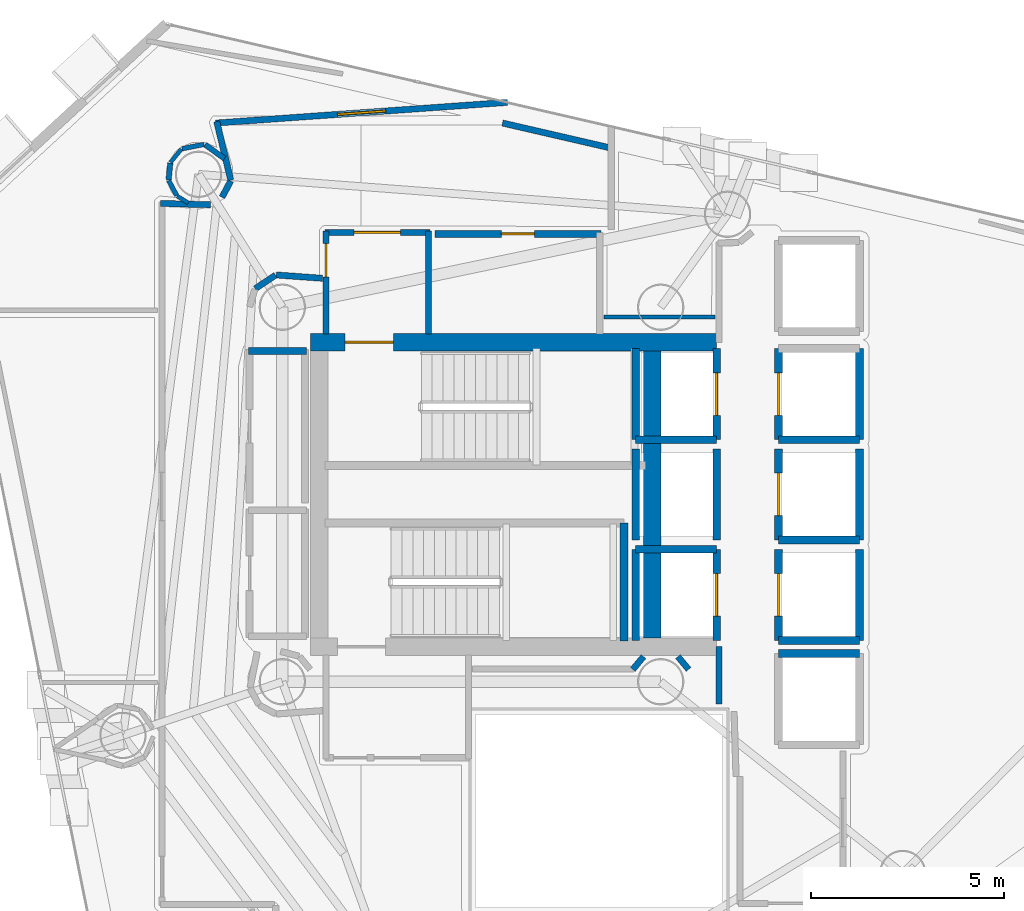
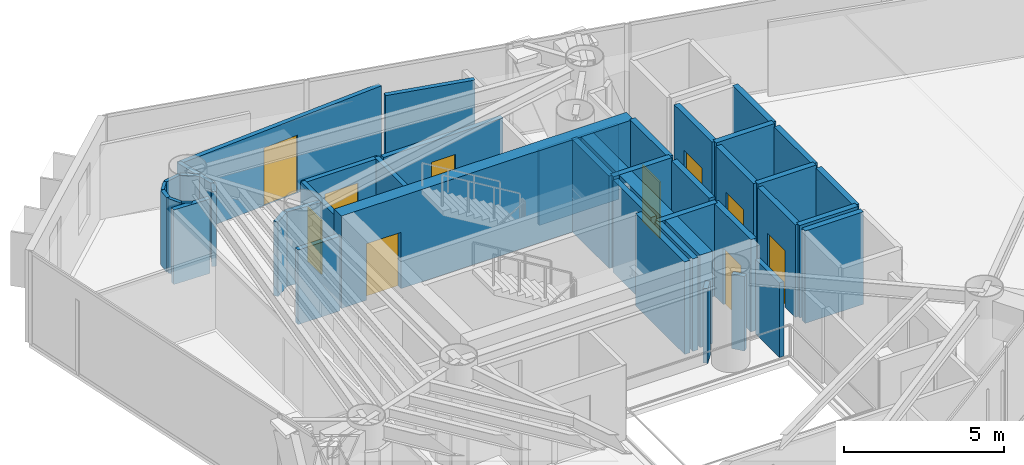
# One storey, part 18 of 22: 43 walls, 10 doors, 10 openings.
"""IFC4 building model written with IfcOpenShell, lengths in metres."""

from ifc_helpers import new_model, si_unit, direction, frame, frame_2d, origin, place, context, subcontext, project, spatial, rectangle, extrude, material, layer, layer_set, type_object, element, fill, save


model = new_model("IFC4")

# Units and contexts
model_context = context("Model", 3, precision=1e-05, world=origin(), true_north=direction((0.0, 1.0)))
body_context = subcontext(model_context, "Body", "Model", "MODEL_VIEW")
ifc_project = project(units=[si_unit("LENGTHUNIT", "METRE"), si_unit("AREAUNIT", "SQUARE_METRE"), si_unit("VOLUMEUNIT", "CUBIC_METRE"), si_unit("PLANEANGLEUNIT", "RADIAN"), si_unit("MASSUNIT", "GRAM", prefix="KILO")], contexts=[model_context])

# Site, building, storey
site_placement = place(None, origin())
site = spatial("IfcSite", under=ifc_project, at=site_placement, CompositionType="ELEMENT")
building_placement = place(site_placement, origin())
building = spatial("IfcBuilding", under=site, at=building_placement, Name="Qianvela Tower", CompositionType="ELEMENT")
storey_placement = place(building_placement, frame((0.0, 0.0, 204.0)))
storey = spatial("IfcBuildingStorey", under=building, at=storey_placement, Name="L52", CompositionType="ELEMENT", Elevation=204.0)

# Wall, opening, door
ifc_material_1 = material(Name="Concrete C50", Category="concrete")
ifc_layer_1 = layer(ifc_material_1, 0.449951171875)
ifc_layer_set_1 = layer_set([ifc_layer_1], Name="Concrete C50")
wall_type_1 = type_object("IfcWallType", Name="WT-CORE-450", PredefinedType="SHEAR", material=ifc_layer_set_1)
wall_1_placement = place(storey_placement, frame((29.330078125, 32.64501953125, 0.0), z_axis=(0.0, 0.0, 1.0), x_axis=(1.0, 0.0, 0.0)))
wall_1 = element("IfcWall", 1, at=wall_1_placement, inside=storey, type_object=wall_type_1, Name="L52 North Core Shear Wall", PredefinedType="SHEAR", context=body_context, shape_type="SweptSolid", body=[
    extrude(rectangle(XDim=10.52001953125, YDim=0.449951171875, at=frame_2d((5.260009765625, 0.0))), origin(), (0.0, 0.0, 1.0), 3.52001953125),
])
opening_1_placement = place(wall_1_placement, frame((0.89501953125, 0.0, 0.0)))
opening_1 = element("IfcOpeningElement", 2, at=opening_1_placement, cuts=wall_1, Name="Opening D-ST1", PredefinedType="OPENING", context=body_context, shape_type="SweptSolid", body=[
    extrude(rectangle(XDim=1.25, YDim=2.14990234375, at=frame_2d((0.625, 1.074951171875))), frame((0.0, 0.23486328125, 0.0), z_axis=(0.0, -1.0, 0.0), x_axis=(1.0, 0.0, 0.0)), (0.0, 0.0, 1.0), 0.469970703125),
])
ifc_material_2 = material(Name="Galvanised Fire Steel Q355B", Category="steel")
door_type_1 = type_object("IfcDoorType", Name="DT-STAIR-FD90", OperationType="NOTDEFINED", PredefinedType="DOOR", material=ifc_material_2)
door_1_placement = place(opening_1_placement, origin())
door_1 = element("IfcDoor", 3, at=door_1_placement, inside=storey, type_object=door_type_1, Name="L52 Stair ST-1 Exit Door", OperationType="SINGLE_SWING_RIGHT", OverallHeight=2.14990234375, OverallWidth=1.25, PredefinedType="DOOR", context=body_context, shape_type="SweptSolid", body=[
    extrude(rectangle(XDim=1.25, YDim=2.14990234375, at=frame_2d((0.625, 1.074951171875))), frame((0.0, 0.02490234375, 0.0), z_axis=(0.0, -1.0, 0.0), x_axis=(1.0, 0.0, 0.0)), (0.0, 0.0, 1.0), 0.050048828125),
])
fill(opening_1, door_1)

# Wall
wall_2_placement = place(storey_placement, frame((38.179931640625, 24.97998046875, 0.0), z_axis=(0.0, 0.0, 1.0), x_axis=(0.0, 1.0, 0.0)))
element("IfcWall", 4, at=wall_2_placement, inside=storey, type_object=wall_type_1, Name="L52 East Spine Core Shear Wall", PredefinedType="SHEAR", context=body_context, shape_type="SweptSolid", body=[
    extrude(rectangle(XDim=7.43994140625, YDim=0.449951171875, at=frame_2d((3.719970703125, 0.0))), origin(), (0.0, 0.0, 1.0), 3.52001953125),
])

# Wall, opening, door
ifc_material_3 = material(Name="Fire-Rated Gypsum and Concrete Block", Category="concrete")
ifc_layer_2 = layer(ifc_material_3, 0.159912109375)
ifc_layer_set_2 = layer_set([ifc_layer_2], Name="Fire-Rated Gypsum and Concrete Block")
wall_type_2 = type_object("IfcWallType", Name="WT-CORR-160", PredefinedType="PARTITIONING", material=ifc_layer_set_2)
wall_3_placement = place(storey_placement, frame((29.73095703125, 32.85791015625, 0.0), z_axis=(0.0, 0.0, 1.0), x_axis=(0.0, 1.0, 0.0)))
wall_3 = element("IfcWall", 5, at=wall_3_placement, inside=storey, type_object=wall_type_2, Name="L52 Partition 2", PredefinedType="PARTITIONING", context=body_context, shape_type="SweptSolid", body=[
    extrude(rectangle(XDim=2.662109375, YDim=0.159912109375, at=frame_2d((1.3310546875, 0.0))), origin(), (0.0, 0.0, 1.0), 2.840087890625),
])
opening_2_placement = place(wall_3_placement, frame((1.478271484375, 0.0, 0.0)))
opening_2 = element("IfcOpeningElement", 6, at=opening_2_placement, cuts=wall_3, Name="Opening D-LB2", PredefinedType="OPENING", context=body_context, shape_type="SweptSolid", body=[
    extrude(rectangle(XDim=0.860107421875, YDim=2.050048828125, at=frame_2d((0.43017578125, 1.02490234375))), frame((0.0, 0.08984375, 0.0), z_axis=(0.0, -1.0, 0.0), x_axis=(1.0, 0.0, 0.0)), (0.0, 0.0, 1.0), 0.179931640625),
])
ifc_material_4 = material(Name="Insulated Steel Fire Door Q355B", Category="steel")
door_type_2 = type_object("IfcDoorType", Name="DT-LOBBY-FD90-860", OperationType="NOTDEFINED", PredefinedType="DOOR", material=ifc_material_4)
door_2_placement = place(opening_2_placement, origin())
door_2 = element("IfcDoor", 7, at=door_2_placement, inside=storey, type_object=door_type_2, Name="L52 Door L52 Firefighting Lobby North to L52 Floor Corridor", OperationType="SINGLE_SWING_LEFT", OverallHeight=2.050048828125, OverallWidth=0.860107421875, PredefinedType="DOOR", context=body_context, shape_type="SweptSolid", body=[
    extrude(rectangle(XDim=0.860107421875, YDim=2.050048828125, at=frame_2d((0.43017578125, 1.02490234375))), frame((0.0, 0.02490234375, 0.0), z_axis=(0.0, -1.0, 0.0), x_axis=(1.0, 0.0, 0.0)), (0.0, 0.0, 1.0), 0.050048828125),
])
fill(opening_2, door_2)

wall_4_placement = place(storey_placement, frame((29.699951171875, 35.489013671875, 0.0), z_axis=(0.0, 0.0, 1.0), x_axis=(1.0, 0.0, 0.0)))
wall_4 = element("IfcWall", 8, at=wall_4_placement, inside=storey, type_object=wall_type_2, Name="L52 Partition 3", PredefinedType="PARTITIONING", context=body_context, shape_type="SweptSolid", body=[
    extrude(rectangle(XDim=2.719970703125, YDim=0.159912109375, at=frame_2d((1.35986328125, 0.0))), origin(), (0.0, 0.0, 1.0), 2.840087890625),
])
opening_3_placement = place(wall_4_placement, frame((0.760009765625, 0.0, 0.0)))
opening_3 = element("IfcOpeningElement", 9, at=opening_3_placement, cuts=wall_4, Name="Opening D-LB1", PredefinedType="OPENING", context=body_context, shape_type="SweptSolid", body=[
    extrude(rectangle(XDim=1.199951171875, YDim=2.14990234375, at=frame_2d((0.60009765625, 1.074951171875))), frame((0.0, 0.08984375, 0.0), z_axis=(0.0, -1.0, 0.0), x_axis=(1.0, 0.0, 0.0)), (0.0, 0.0, 1.0), 0.179931640625),
])
ifc_material_5 = material(Name="Glazed Fire-Rated Steel Frame", Category="steel")
door_type_3 = type_object("IfcDoorType", Name="DT-LOBBY-FD90", OperationType="NOTDEFINED", PredefinedType="DOOR", material=ifc_material_5)
door_3_placement = place(opening_3_placement, origin())
door_3 = element("IfcDoor", 10, at=door_3_placement, inside=storey, type_object=door_type_3, Name="L52 Door L52 Firefighting Lobby North to L52 Floor Corridor", OperationType="SINGLE_SWING_RIGHT", OverallHeight=2.14990234375, OverallWidth=1.199951171875, PredefinedType="DOOR", context=body_context, shape_type="SweptSolid", body=[
    extrude(rectangle(XDim=1.199951171875, YDim=2.14990234375, at=frame_2d((0.60009765625, 1.074951171875))), frame((0.0, 0.02490234375, 0.0), z_axis=(0.0, -1.0, 0.0), x_axis=(1.0, 0.0, 0.0)), (0.0, 0.0, 1.0), 0.050048828125),
])
fill(opening_3, door_3)

# Walls
wall_5_placement = place(storey_placement, frame((32.388916015625, 35.52001953125, 0.0), z_axis=(0.0, 0.0, 1.0), x_axis=(0.0, -1.0, 0.0)))
element("IfcWall", 11, at=wall_5_placement, inside=storey, type_object=wall_type_2, Name="L52 Partition 4", PredefinedType="PARTITIONING", context=body_context, shape_type="SweptSolid", body=[
    extrude(rectangle(XDim=2.662109375, YDim=0.159912109375, at=frame_2d((1.3310546875, 0.0))), origin(), (0.0, 0.0, 1.0), 2.840087890625),
])
wall_6_placement = place(storey_placement, frame((39.910888671875, 23.280029296875, 0.0), z_axis=(0.0, 0.0, 1.0), x_axis=(0.0, 1.0, 0.0)))
element("IfcWall", 12, at=wall_6_placement, inside=storey, type_object=wall_type_2, Name="L52 Partition 10", PredefinedType="PARTITIONING", context=body_context, shape_type="SweptSolid", body=[
    extrude(rectangle(XDim=1.47998046875, YDim=0.159912109375, at=frame_2d((0.739990234375, 0.0))), origin(), (0.0, 0.0, 1.0), 2.840087890625),
])
for number, where, z_axis, x_axis, name in (
    (13, (39.12109375, 24.169921875, 0.0), (0.0, 0.0, 1.0), (-0.638008265708, 0.770029514296, 0.0), "L52 Partition 45"),
    (14, (37.953857421875, 24.501708984375, 0.0), (0.0, 0.0, 1.0), (-0.638008265708, -0.770029514296, 0.0), "L52 Partition 48"),
):
    element("IfcWall", number, at=place(storey_placement, frame(where, z_axis=z_axis, x_axis=x_axis)), inside=storey, type_object=wall_type_2, Name=name, PredefinedType="PARTITIONING", context=body_context, shape_type="SweptSolid", body=[
        extrude(rectangle(XDim=0.430908203125, YDim=0.159912109375, at=frame_2d((0.21533203125, 0.0))), origin(), (0.0, 0.0, 1.0), 2.840087890625),
    ])
wall_7_placement = place(storey_placement, frame((27.265380859375, 36.839111328125, 0.0), z_axis=(0.0, 0.0, 1.0), x_axis=(-0.232734022169, 0.972540423286, 0.0)))
element("IfcWall", 15, at=wall_7_placement, inside=storey, type_object=wall_type_2, Name="L52 Partition 50", PredefinedType="PARTITIONING", context=body_context, shape_type="SweptSolid", body=[
    extrude(rectangle(XDim=1.56103515625, YDim=0.159912109375, at=frame_2d((0.780517578125, 0.0))), origin(), (0.0, 0.0, 1.0), 2.840087890625),
])

# Wall, opening, door
wall_8_placement = place(storey_placement, frame((26.871826171875, 38.319091796875, 0.0), z_axis=(0.0, 0.0, 1.0), x_axis=(0.997497948336, 0.070695424642, 0.0)))
wall_8 = element("IfcWall", 16, at=wall_8_placement, inside=storey, type_object=wall_type_2, Name="L52 Partition 51", PredefinedType="PARTITIONING", context=body_context, shape_type="SweptSolid", body=[
    extrude(rectangle(XDim=7.580322265625, YDim=0.159912109375, at=frame_2d((3.7900390625, 0.0))), origin(), (0.0, 0.0, 1.0), 2.840087890625),
])
opening_4_placement = place(wall_8_placement, frame((3.1650390625, 0.0, 0.0)))
opening_4 = element("IfcOpeningElement", 17, at=opening_4_placement, cuts=wall_8, Name="Opening D-LG1", PredefinedType="OPENING", context=body_context, shape_type="SweptSolid", body=[
    extrude(rectangle(XDim=1.25, YDim=2.199951171875, at=frame_2d((0.625, 1.10009765625))), frame((0.0, 0.08984375, 0.0), z_axis=(0.0, -1.0, 0.0), x_axis=(1.0, 0.0, 0.0)), (0.0, 0.0, 1.0), 0.179931640625),
])
ifc_material_6 = material(Name="Anodised Aluminium Acoustic Glass Door", Category="aluminium")
door_type_4 = type_object("IfcDoorType", Name="DT-LOUNGE-1250", OperationType="NOTDEFINED", PredefinedType="DOOR", material=ifc_material_6)
door_4_placement = place(opening_4_placement, origin())
door_4 = element("IfcDoor", 18, at=door_4_placement, inside=storey, type_object=door_type_4, Name="L52 Door Quiet Desk Workspace L52-03 to L52 Floor Corridor", OperationType="SINGLE_SWING_RIGHT", OverallHeight=2.199951171875, OverallWidth=1.25, PredefinedType="DOOR", context=body_context, shape_type="SweptSolid", body=[
    extrude(rectangle(XDim=1.25, YDim=2.199951171875, at=frame_2d((0.625, 1.10009765625))), frame((0.0, 0.02490234375, 0.0), z_axis=(0.0, -1.0, 0.0), x_axis=(1.0, 0.0, 0.0)), (0.0, 0.0, 1.0), 0.050048828125),
])
fill(opening_4, door_4)

# Walls
wall_9_placement = place(storey_placement, frame((34.302490234375, 38.31982421875, 0.0), z_axis=(0.0, 0.0, 1.0), x_axis=(0.974391195695, -0.224859506699, 0.0)))
element("IfcWall", 19, at=wall_9_placement, inside=storey, type_object=wall_type_2, Name="L52 Partition 52", PredefinedType="PARTITIONING", context=body_context, shape_type="SweptSolid", body=[
    extrude(rectangle(XDim=2.915283203125, YDim=0.159912109375, at=frame_2d((1.45751953125, 0.0))), origin(), (0.0, 0.0, 1.0), 2.840087890625),
])
wall_10_placement = place(storey_placement, frame((29.64013671875, 34.298583984375, 0.0), z_axis=(0.0, 0.0, 1.0), x_axis=(-0.997392224386, 0.072171675429, 0.0)))
element("IfcWall", 20, at=wall_10_placement, inside=storey, type_object=wall_type_2, Name="L52 Partition 56", PredefinedType="PARTITIONING", context=body_context, shape_type="SweptSolid", body=[
    extrude(rectangle(XDim=1.200927734375, YDim=0.159912109375, at=frame_2d((0.6005859375, 0.0))), origin(), (0.0, 0.0, 1.0), 2.840087890625),
])
wall_11_placement = place(storey_placement, frame((28.4228515625, 34.3798828125, 0.0), z_axis=(0.0, 0.0, 1.0), x_axis=(-0.831571279003, -0.555418047903, 0.0)))
element("IfcWall", 21, at=wall_11_placement, inside=storey, type_object=wall_type_2, Name="L52 Partition 57", PredefinedType="PARTITIONING", context=body_context, shape_type="SweptSolid", body=[
    extrude(rectangle(XDim=0.627685546875, YDim=0.159912109375, at=frame_2d((0.31396484375, 0.0))), origin(), (0.0, 0.0, 1.0), 2.840087890625),
])
wall_12_placement = place(storey_placement, frame((25.44921875, 36.237548828125, 0.0), z_axis=(0.0, 0.0, 1.0), x_axis=(0.999651698073, -0.026390955635, 0.0)))
element("IfcWall", 22, at=wall_12_placement, inside=storey, type_object=wall_type_2, Name="L52 Partition 74", PredefinedType="PARTITIONING", context=body_context, shape_type="SweptSolid", body=[
    extrude(rectangle(XDim=1.295166015625, YDim=0.159912109375, at=frame_2d((0.6474609375, 0.0))), origin(), (0.0, 0.0, 1.0), 2.840087890625),
])
wall_13_placement = place(storey_placement, frame((27.0380859375, 36.397705078125, 0.0), z_axis=(0.0, 0.0, 1.0), x_axis=(0.471865548338, 0.881670519123, 0.0)))
element("IfcWall", 23, at=wall_13_placement, inside=storey, type_object=wall_type_2, Name="L52 Partition 75", PredefinedType="PARTITIONING", context=body_context, shape_type="SweptSolid", body=[
    extrude(rectangle(XDim=0.47607421875, YDim=0.159912109375, at=frame_2d((0.238037109375, 0.0))), origin(), (0.0, 0.0, 1.0), 2.840087890625),
])
ifc_material_7 = material(Name="Lightweight Gypsum Room Partition")
ifc_layer_3 = layer(ifc_material_7, 0.10498046875)
ifc_layer_set_3 = layer_set([ifc_layer_3], Name="Lightweight Gypsum Room Partition")
wall_type_3 = type_object("IfcWallType", Name="WT-PART-105", PredefinedType="PARTITIONING", material=ifc_layer_set_3)
wall_14_placement = place(storey_placement, frame((39.800048828125, 33.29296875, 0.0), z_axis=(0.0, 0.0, 1.0), x_axis=(-1.0, 0.0, 0.0)))
element("IfcWall", 24, at=wall_14_placement, inside=storey, type_object=wall_type_3, Name="L52 Partition 104", PredefinedType="PARTITIONING", context=body_context, shape_type="SweptSolid", body=[
    extrude(rectangle(XDim=2.8701171875, YDim=0.10498046875, at=frame_2d((1.43505859375, 0.0))), origin(), (0.0, 0.0, 1.0), 2.840087890625),
])
wall_15_placement = place(storey_placement, frame((25.98486328125, 37.6435546875, 0.0), z_axis=(0.0, 0.0, 1.0), x_axis=(-0.634562438402, -0.772871601088, 0.0)))
element("IfcWall", 25, at=wall_15_placement, inside=storey, type_object=wall_type_3, Name="L52 Partition 113", PredefinedType="PARTITIONING", context=body_context, shape_type="SweptSolid", body=[
    extrude(rectangle(XDim=0.44140625, YDim=0.10498046875, at=frame_2d((0.220703125, 0.0))), origin(), (0.0, 0.0, 1.0), 2.840087890625),
])
wall_16_placement = place(storey_placement, frame((25.87744140625, 36.42822265625, 0.0), z_axis=(0.0, 0.0, 1.0), x_axis=(0.852322728649, -0.523016219853, 0.0)))
element("IfcWall", 26, at=wall_16_placement, inside=storey, type_object=wall_type_3, Name="L52 Partition 116", PredefinedType="PARTITIONING", context=body_context, shape_type="SweptSolid", body=[
    extrude(rectangle(XDim=0.34033203125, YDim=0.10498046875, at=frame_2d((0.170166015625, 0.0))), origin(), (0.0, 0.0, 1.0), 2.840087890625),
])
ifc_material_8 = material(Name="Insulated Gypsum Stud Partition")
ifc_layer_4 = layer(ifc_material_8, 0.1201171875)
ifc_layer_set_4 = layer_set([ifc_layer_4], Name="Insulated Gypsum Stud Partition")
wall_type_4 = type_object("IfcWallType", Name="WT-PART-120", PredefinedType="PARTITIONING", material=ifc_layer_set_4)
wall_17_placement = place(storey_placement, frame((26.5732421875, 37.767822265625, 0.0), z_axis=(0.0, 0.0, 1.0), x_axis=(-0.980773892286, -0.195147565217, 0.0)))
element("IfcWall", 27, at=wall_17_placement, inside=storey, type_object=wall_type_4, Name="L52 Partition 112", PredefinedType="PARTITIONING", context=body_context, shape_type="SweptSolid", body=[
    extrude(rectangle(XDim=0.581787109375, YDim=0.1201171875, at=frame_2d((0.291015625, 0.0))), origin(), (0.0, 0.0, 1.0), 2.840087890625),
])
wall_18_placement = place(storey_placement, frame((25.658203125, 36.8291015625, 0.0), z_axis=(0.0, 0.0, 1.0), x_axis=(0.471392110461, -0.881923737177, 0.0)))
element("IfcWall", 28, at=wall_18_placement, inside=storey, type_object=wall_type_4, Name="L52 Partition 115", PredefinedType="PARTITIONING", context=body_context, shape_type="SweptSolid", body=[
    extrude(rectangle(XDim=0.441162109375, YDim=0.1201171875, at=frame_2d((0.220703125, 0.0))), origin(), (0.0, 0.0, 1.0), 2.840087890625),
])

# Wall, opening, door
ifc_material_9 = material(Name="Moisture-Resistant Acoustic Plumbing Wall")
ifc_layer_5 = layer(ifc_material_9, 0.175048828125)
ifc_layer_set_5 = layer_set([ifc_layer_5], Name="Moisture-Resistant Acoustic Plumbing Wall")
wall_type_5 = type_object("IfcWallType", Name="WT-PLUMB-175", PredefinedType="PLUMBINGWALL", material=ifc_layer_set_5)
wall_19_placement = place(storey_placement, frame((32.550048828125, 35.448974609375, 0.0), z_axis=(0.0, 0.0, 1.0), x_axis=(1.0, 0.0, 0.0)))
wall_19 = element("IfcWall", 29, at=wall_19_placement, inside=storey, type_object=wall_type_5, Name="L52 Partition 22", PredefinedType="PLUMBINGWALL", context=body_context, shape_type="SweptSolid", body=[
    extrude(rectangle(XDim=4.300048828125, YDim=0.175048828125, at=frame_2d((2.14990234375, 0.0))), origin(), (0.0, 0.0, 1.0), 2.840087890625),
])
opening_5_placement = place(wall_19_placement, frame((1.719970703125, 0.0, 0.0)))
opening_5 = element("IfcOpeningElement", 30, at=opening_5_placement, cuts=wall_19, Name="Opening D-WC1", PredefinedType="OPENING", context=body_context, shape_type="SweptSolid", body=[
    extrude(rectangle(XDim=0.860107421875, YDim=2.050048828125, at=frame_2d((0.43017578125, 1.02490234375))), frame((0.0, 0.097412109375, 0.0), z_axis=(0.0, -1.0, 0.0), x_axis=(1.0, 0.0, 0.0)), (0.0, 0.0, 1.0), 0.195068359375),
])
ifc_material_10 = material(Name="Moisture-Sealed Acoustic Timber Door", Category="wood")
door_type_5 = type_object("IfcDoorType", Name="DT-WC-860", OperationType="NOTDEFINED", PredefinedType="DOOR", material=ifc_material_10)
door_5_placement = place(opening_5_placement, origin())
door_5 = element("IfcDoor", 31, at=door_5_placement, inside=storey, type_object=door_type_5, Name="L52 Door L52 Accessible WC to L52 Floor Corridor", OperationType="SINGLE_SWING_LEFT", OverallHeight=2.050048828125, OverallWidth=0.860107421875, PredefinedType="DOOR", context=body_context, shape_type="SweptSolid", body=[
    extrude(rectangle(XDim=0.860107421875, YDim=2.050048828125, at=frame_2d((0.43017578125, 1.02490234375))), frame((0.0, 0.02490234375, 0.0), z_axis=(0.0, -1.0, 0.0), x_axis=(1.0, 0.0, 0.0)), (0.0, 0.0, 1.0), 0.050048828125),
])
fill(opening_5, door_5)

# Walls
wall_20_placement = place(storey_placement, frame((27.719970703125, 32.4189453125, 0.0), z_axis=(0.0, 0.0, 1.0), x_axis=(1.0, 0.0, 0.0)))
element("IfcWall", 32, at=wall_20_placement, inside=storey, type_object=wall_type_5, Name="L52 Partition 29", PredefinedType="PLUMBINGWALL", context=body_context, shape_type="SweptSolid", body=[
    extrude(rectangle(XDim=1.5, YDim=0.175048828125, at=frame_2d((0.75, 0.0))), origin(), (0.0, 0.0, 1.0), 2.840087890625),
])
ifc_material_11 = material(Name="Acoustic Double Gypsum Stud Partition")
ifc_layer_6 = layer(ifc_material_11, 0.139892578125)
ifc_layer_set_6 = layer_set([ifc_layer_6], Name="Acoustic Double Gypsum Stud Partition")
wall_type_6 = type_object("IfcWallType", Name="WT-ROOM-140", PredefinedType="PARTITIONING", material=ifc_layer_set_6)
wall_21_placement = place(storey_placement, frame((27.102294921875, 37.3994140625, 0.0), z_axis=(0.0, 0.0, 1.0), x_axis=(-0.811712980853, 0.584056535546, 0.0)))
element("IfcWall", 33, at=wall_21_placement, inside=storey, type_object=wall_type_6, Name="L52 Partition 111", PredefinedType="PARTITIONING", context=body_context, shape_type="SweptSolid", body=[
    extrude(rectangle(XDim=0.6220703125, YDim=0.139892578125, at=frame_2d((0.31103515625, 0.0))), origin(), (0.0, 0.0, 1.0), 2.840087890625),
])
wall_22_placement = place(storey_placement, frame((25.697998046875, 37.285888671875, 0.0), z_axis=(0.0, 0.0, 1.0), x_axis=(-0.097915215421, -0.995194760129, 0.0)))
element("IfcWall", 34, at=wall_22_placement, inside=storey, type_object=wall_type_6, Name="L52 Partition 114", PredefinedType="PARTITIONING", context=body_context, shape_type="SweptSolid", body=[
    extrude(rectangle(XDim=0.44140625, YDim=0.139892578125, at=frame_2d((0.220703125, 0.0))), origin(), (0.0, 0.0, 1.0), 2.840087890625),
])
ifc_material_12 = material(Name="Concrete C50", Category="concrete")
ifc_layer_7 = layer(ifc_material_12, 0.199951171875)
ifc_layer_set_7 = layer_set([ifc_layer_7], Name="Concrete C50")
wall_type_7 = type_object("IfcWallType", Name="WT-SHAFT-200", PredefinedType="SOLIDWALL", material=ifc_layer_set_7)
wall_23_placement = place(storey_placement, frame((37.449951171875, 24.89990234375, 0.0), z_axis=(0.0, 0.0, 1.0), x_axis=(0.0, 1.0, 0.0)))
element("IfcWall", 35, at=wall_23_placement, inside=storey, type_object=wall_type_7, Name="L52 Stair ST-2 East Wall", PredefinedType="SOLIDWALL", context=body_context, shape_type="SweptSolid", body=[
    extrude(rectangle(XDim=3.06005859375, YDim=0.199951171875, at=frame_2d((1.530029296875, 0.0))), origin(), (0.0, 0.0, 1.0), 3.52001953125),
])

# Wall, opening, door
wall_24_placement = place(storey_placement, frame((39.85009765625, 30.1201171875, 0.0), z_axis=(0.0, 0.0, 1.0), x_axis=(0.0, 1.0, 0.0)))
wall_24 = element("IfcWall", 36, at=wall_24_placement, inside=storey, type_object=wall_type_7, Name="L52 Lift FL-1 E Shaft Wall", PredefinedType="SOLIDWALL", context=body_context, shape_type="SweptSolid", body=[
    extrude(rectangle(XDim=2.35986328125, YDim=0.199951171875, at=frame_2d((1.179931640625, 0.0))), origin(), (0.0, 0.0, 1.0), 3.52001953125),
])
opening_6_placement = place(wall_24_placement, frame((0.6298828125, 0.0, 0.0)))
opening_6 = element("IfcOpeningElement", 37, at=opening_6_placement, cuts=wall_24, Name="Opening LD-01", PredefinedType="OPENING", context=body_context, shape_type="SweptSolid", body=[
    extrude(rectangle(XDim=1.10009765625, YDim=2.14990234375, at=frame_2d((0.550048828125, 1.074951171875))), frame((0.0, 0.10986328125, 0.0), z_axis=(0.0, -1.0, 0.0), x_axis=(1.0, 0.0, 0.0)), (0.0, 0.0, 1.0), 0.219970703125),
])
ifc_material_13 = material(Name="Brushed Stainless Steel Lift Landing Door", Category="steel")
door_type_6 = type_object("IfcDoorType", Name="DT-LIFT-SLIDE-1100", OperationType="SLIDING_TO_LEFT", PredefinedType="DOOR", material=ifc_material_13)
door_6_placement = place(opening_6_placement, origin())
door_6 = element("IfcDoor", 38, at=door_6_placement, inside=storey, type_object=door_type_6, Name="L52 Lift FL-1 Sliding Landing Door", OperationType="SLIDING_TO_LEFT", OverallHeight=2.14990234375, OverallWidth=1.10009765625, PredefinedType="DOOR", context=body_context, shape_type="SweptSolid", body=[
    extrude(rectangle(XDim=1.10009765625, YDim=2.14990234375, at=frame_2d((0.550048828125, 1.074951171875))), frame((0.0, 0.02490234375, 0.0), z_axis=(0.0, -1.0, 0.0), x_axis=(1.0, 0.0, 0.0)), (0.0, 0.0, 1.0), 0.050048828125),
])
fill(opening_6, door_6)

# Walls
wall_25_placement = place(storey_placement, frame((37.75, 30.1201171875, 0.0), z_axis=(0.0, 0.0, 1.0), x_axis=(0.0, 1.0, 0.0)))
element("IfcWall", 39, at=wall_25_placement, inside=storey, type_object=wall_type_7, Name="L52 Lift FL-1 W Shaft Wall", PredefinedType="SOLIDWALL", context=body_context, shape_type="SweptSolid", body=[
    extrude(rectangle(XDim=2.35986328125, YDim=0.199951171875, at=frame_2d((1.179931640625, 0.0))), origin(), (0.0, 0.0, 1.0), 3.52001953125),
])
wall_26_placement = place(storey_placement, frame((37.75, 30.1201171875, 0.0), z_axis=(0.0, 0.0, 1.0), x_axis=(1.0, 0.0, 0.0)))
element("IfcWall", 40, at=wall_26_placement, inside=storey, type_object=wall_type_7, Name="L52 Lift FL-1 S Shaft Wall", PredefinedType="SOLIDWALL", context=body_context, shape_type="SweptSolid", body=[
    extrude(rectangle(XDim=2.10009765625, YDim=0.199951171875, at=frame_2d((1.050048828125, 0.0))), origin(), (0.0, 0.0, 1.0), 3.52001953125),
])

# Wall, opening, door
wall_27_placement = place(storey_placement, frame((39.85009765625, 24.919921875, 0.0), z_axis=(0.0, 0.0, 1.0), x_axis=(0.0, 1.0, 0.0)))
wall_27 = element("IfcWall", 41, at=wall_27_placement, inside=storey, type_object=wall_type_7, Name="L52 Lift FL-2 E Shaft Wall", PredefinedType="SOLIDWALL", context=body_context, shape_type="SweptSolid", body=[
    extrude(rectangle(XDim=2.360107421875, YDim=0.199951171875, at=frame_2d((1.18017578125, 0.0))), origin(), (0.0, 0.0, 1.0), 3.52001953125),
])
opening_7_placement = place(wall_27_placement, frame((0.6298828125, 0.0, 0.0)))
opening_7 = element("IfcOpeningElement", 42, at=opening_7_placement, cuts=wall_27, Name="Opening LD-01", PredefinedType="OPENING", context=body_context, shape_type="SweptSolid", body=[
    extrude(rectangle(XDim=1.10009765625, YDim=2.14990234375, at=frame_2d((0.550048828125, 1.074951171875))), frame((0.0, 0.10986328125, 0.0), z_axis=(0.0, -1.0, 0.0), x_axis=(1.0, 0.0, 0.0)), (0.0, 0.0, 1.0), 0.219970703125),
])
door_7_placement = place(opening_7_placement, origin())
door_7 = element("IfcDoor", 43, at=door_7_placement, inside=storey, type_object=door_type_6, Name="L52 Lift FL-2 Sliding Landing Door", OperationType="SLIDING_TO_LEFT", OverallHeight=2.14990234375, OverallWidth=1.10009765625, PredefinedType="DOOR", context=body_context, shape_type="SweptSolid", body=[
    extrude(rectangle(XDim=1.10009765625, YDim=2.14990234375, at=frame_2d((0.550048828125, 1.074951171875))), frame((0.0, 0.02490234375, 0.0), z_axis=(0.0, -1.0, 0.0), x_axis=(1.0, 0.0, 0.0)), (0.0, 0.0, 1.0), 0.050048828125),
])
fill(opening_7, door_7)

# Walls
wall_28_placement = place(storey_placement, frame((37.75, 24.919921875, 0.0), z_axis=(0.0, 0.0, 1.0), x_axis=(0.0, 1.0, 0.0)))
element("IfcWall", 44, at=wall_28_placement, inside=storey, type_object=wall_type_7, Name="L52 Lift FL-2 W Shaft Wall", PredefinedType="SOLIDWALL", context=body_context, shape_type="SweptSolid", body=[
    extrude(rectangle(XDim=2.360107421875, YDim=0.199951171875, at=frame_2d((1.18017578125, 0.0))), origin(), (0.0, 0.0, 1.0), 3.52001953125),
])
wall_29_placement = place(storey_placement, frame((37.75, 27.280029296875, 0.0), z_axis=(0.0, 0.0, 1.0), x_axis=(1.0, 0.0, 0.0)))
element("IfcWall", 45, at=wall_29_placement, inside=storey, type_object=wall_type_7, Name="L52 Lift FL-2 N Shaft Wall", PredefinedType="SOLIDWALL", context=body_context, shape_type="SweptSolid", body=[
    extrude(rectangle(XDim=2.10009765625, YDim=0.199951171875, at=frame_2d((1.050048828125, 0.0))), origin(), (0.0, 0.0, 1.0), 3.52001953125),
])
wall_30_placement = place(storey_placement, frame((43.550048828125, 30.1201171875, 0.0), z_axis=(0.0, 0.0, 1.0), x_axis=(0.0, 1.0, 0.0)))
element("IfcWall", 46, at=wall_30_placement, inside=storey, type_object=wall_type_7, Name="L52 Lift PL-M1 E Shaft Wall", PredefinedType="SOLIDWALL", context=body_context, shape_type="SweptSolid", body=[
    extrude(rectangle(XDim=2.35986328125, YDim=0.199951171875, at=frame_2d((1.179931640625, 0.0))), origin(), (0.0, 0.0, 1.0), 3.52001953125),
])

# Wall, opening, door
wall_31_placement = place(storey_placement, frame((41.449951171875, 30.1201171875, 0.0), z_axis=(0.0, 0.0, 1.0), x_axis=(0.0, 1.0, 0.0)))
wall_31 = element("IfcWall", 47, at=wall_31_placement, inside=storey, type_object=wall_type_7, Name="L52 Lift PL-M1 W Shaft Wall", PredefinedType="SOLIDWALL", context=body_context, shape_type="SweptSolid", body=[
    extrude(rectangle(XDim=2.35986328125, YDim=0.199951171875, at=frame_2d((1.179931640625, 0.0))), origin(), (0.0, 0.0, 1.0), 3.52001953125),
])
opening_8_placement = place(wall_31_placement, frame((0.6298828125, 0.0, 0.0)))
opening_8 = element("IfcOpeningElement", 48, at=opening_8_placement, cuts=wall_31, Name="Opening LD-01", PredefinedType="OPENING", context=body_context, shape_type="SweptSolid", body=[
    extrude(rectangle(XDim=1.10009765625, YDim=2.14990234375, at=frame_2d((0.550048828125, 1.074951171875))), frame((0.0, 0.10986328125, 0.0), z_axis=(0.0, -1.0, 0.0), x_axis=(1.0, 0.0, 0.0)), (0.0, 0.0, 1.0), 0.219970703125),
])
door_8_placement = place(opening_8_placement, origin())
door_8 = element("IfcDoor", 49, at=door_8_placement, inside=storey, type_object=door_type_6, Name="L52 Lift PL-M1 Sliding Landing Door", OperationType="SLIDING_TO_LEFT", OverallHeight=2.14990234375, OverallWidth=1.10009765625, PredefinedType="DOOR", context=body_context, shape_type="SweptSolid", body=[
    extrude(rectangle(XDim=1.10009765625, YDim=2.14990234375, at=frame_2d((0.550048828125, 1.074951171875))), frame((0.0, 0.02490234375, 0.0), z_axis=(0.0, -1.0, 0.0), x_axis=(1.0, 0.0, 0.0)), (0.0, 0.0, 1.0), 0.050048828125),
])
fill(opening_8, door_8)

# Walls
wall_32_placement = place(storey_placement, frame((41.449951171875, 30.1201171875, 0.0), z_axis=(0.0, 0.0, 1.0), x_axis=(1.0, 0.0, 0.0)))
element("IfcWall", 50, at=wall_32_placement, inside=storey, type_object=wall_type_7, Name="L52 Lift PL-M1 S Shaft Wall", PredefinedType="SOLIDWALL", context=body_context, shape_type="SweptSolid", body=[
    extrude(rectangle(XDim=2.10009765625, YDim=0.199951171875, at=frame_2d((1.050048828125, 0.0))), origin(), (0.0, 0.0, 1.0), 3.52001953125),
])
wall_33_placement = place(storey_placement, frame((43.550048828125, 27.52001953125, 0.0), z_axis=(0.0, 0.0, 1.0), x_axis=(0.0, 1.0, 0.0)))
element("IfcWall", 51, at=wall_33_placement, inside=storey, type_object=wall_type_7, Name="L52 Lift PL-M2 E Shaft Wall", PredefinedType="SOLIDWALL", context=body_context, shape_type="SweptSolid", body=[
    extrude(rectangle(XDim=2.35986328125, YDim=0.199951171875, at=frame_2d((1.179931640625, 0.0))), origin(), (0.0, 0.0, 1.0), 3.52001953125),
])

# Wall, opening, door
wall_34_placement = place(storey_placement, frame((41.449951171875, 27.52001953125, 0.0), z_axis=(0.0, 0.0, 1.0), x_axis=(0.0, 1.0, 0.0)))
wall_34 = element("IfcWall", 52, at=wall_34_placement, inside=storey, type_object=wall_type_7, Name="L52 Lift PL-M2 W Shaft Wall", PredefinedType="SOLIDWALL", context=body_context, shape_type="SweptSolid", body=[
    extrude(rectangle(XDim=2.35986328125, YDim=0.199951171875, at=frame_2d((1.179931640625, 0.0))), origin(), (0.0, 0.0, 1.0), 3.52001953125),
])
opening_9_placement = place(wall_34_placement, frame((0.6298828125, 0.0, 0.0)))
opening_9 = element("IfcOpeningElement", 53, at=opening_9_placement, cuts=wall_34, Name="Opening LD-01", PredefinedType="OPENING", context=body_context, shape_type="SweptSolid", body=[
    extrude(rectangle(XDim=1.10009765625, YDim=2.14990234375, at=frame_2d((0.550048828125, 1.074951171875))), frame((0.0, 0.10986328125, 0.0), z_axis=(0.0, -1.0, 0.0), x_axis=(1.0, 0.0, 0.0)), (0.0, 0.0, 1.0), 0.219970703125),
])
door_9_placement = place(opening_9_placement, origin())
door_9 = element("IfcDoor", 54, at=door_9_placement, inside=storey, type_object=door_type_6, Name="L52 Lift PL-M2 Sliding Landing Door", OperationType="SLIDING_TO_LEFT", OverallHeight=2.14990234375, OverallWidth=1.10009765625, PredefinedType="DOOR", context=body_context, shape_type="SweptSolid", body=[
    extrude(rectangle(XDim=1.10009765625, YDim=2.14990234375, at=frame_2d((0.550048828125, 1.074951171875))), frame((0.0, 0.02490234375, 0.0), z_axis=(0.0, -1.0, 0.0), x_axis=(1.0, 0.0, 0.0)), (0.0, 0.0, 1.0), 0.050048828125),
])
fill(opening_9, door_9)

# Walls
wall_35_placement = place(storey_placement, frame((41.449951171875, 27.52001953125, 0.0), z_axis=(0.0, 0.0, 1.0), x_axis=(1.0, 0.0, 0.0)))
element("IfcWall", 55, at=wall_35_placement, inside=storey, type_object=wall_type_7, Name="L52 Lift PL-M2 S Shaft Wall", PredefinedType="SOLIDWALL", context=body_context, shape_type="SweptSolid", body=[
    extrude(rectangle(XDim=2.10009765625, YDim=0.199951171875, at=frame_2d((1.050048828125, 0.0))), origin(), (0.0, 0.0, 1.0), 3.52001953125),
])
wall_36_placement = place(storey_placement, frame((43.550048828125, 24.919921875, 0.0), z_axis=(0.0, 0.0, 1.0), x_axis=(0.0, 1.0, 0.0)))
element("IfcWall", 56, at=wall_36_placement, inside=storey, type_object=wall_type_7, Name="L52 Lift PL-M3 E Shaft Wall", PredefinedType="SOLIDWALL", context=body_context, shape_type="SweptSolid", body=[
    extrude(rectangle(XDim=2.360107421875, YDim=0.199951171875, at=frame_2d((1.18017578125, 0.0))), origin(), (0.0, 0.0, 1.0), 3.52001953125),
])

# Wall, opening, door
wall_37_placement = place(storey_placement, frame((41.449951171875, 24.919921875, 0.0), z_axis=(0.0, 0.0, 1.0), x_axis=(0.0, 1.0, 0.0)))
wall_37 = element("IfcWall", 57, at=wall_37_placement, inside=storey, type_object=wall_type_7, Name="L52 Lift PL-M3 W Shaft Wall", PredefinedType="SOLIDWALL", context=body_context, shape_type="SweptSolid", body=[
    extrude(rectangle(XDim=2.360107421875, YDim=0.199951171875, at=frame_2d((1.18017578125, 0.0))), origin(), (0.0, 0.0, 1.0), 3.52001953125),
])
opening_10_placement = place(wall_37_placement, frame((0.6298828125, 0.0, 0.0)))
opening_10 = element("IfcOpeningElement", 58, at=opening_10_placement, cuts=wall_37, Name="Opening LD-01", PredefinedType="OPENING", context=body_context, shape_type="SweptSolid", body=[
    extrude(rectangle(XDim=1.10009765625, YDim=2.14990234375, at=frame_2d((0.550048828125, 1.074951171875))), frame((0.0, 0.10986328125, 0.0), z_axis=(0.0, -1.0, 0.0), x_axis=(1.0, 0.0, 0.0)), (0.0, 0.0, 1.0), 0.219970703125),
])
door_10_placement = place(opening_10_placement, origin())
door_10 = element("IfcDoor", 59, at=door_10_placement, inside=storey, type_object=door_type_6, Name="L52 Lift PL-M3 Sliding Landing Door", OperationType="SLIDING_TO_LEFT", OverallHeight=2.14990234375, OverallWidth=1.10009765625, PredefinedType="DOOR", context=body_context, shape_type="SweptSolid", body=[
    extrude(rectangle(XDim=1.10009765625, YDim=2.14990234375, at=frame_2d((0.550048828125, 1.074951171875))), frame((0.0, 0.02490234375, 0.0), z_axis=(0.0, -1.0, 0.0), x_axis=(1.0, 0.0, 0.0)), (0.0, 0.0, 1.0), 0.050048828125),
])
fill(opening_10, door_10)

# Walls
wall_38_placement = place(storey_placement, frame((41.449951171875, 24.919921875, 0.0), z_axis=(0.0, 0.0, 1.0), x_axis=(1.0, 0.0, 0.0)))
element("IfcWall", 60, at=wall_38_placement, inside=storey, type_object=wall_type_7, Name="L52 Lift PL-M3 S Shaft Wall", PredefinedType="SOLIDWALL", context=body_context, shape_type="SweptSolid", body=[
    extrude(rectangle(XDim=2.10009765625, YDim=0.199951171875, at=frame_2d((1.050048828125, 0.0))), origin(), (0.0, 0.0, 1.0), 3.52001953125),
])
for number, where, z_axis, x_axis, name in (
    (61, (39.85009765625, 27.52001953125, 0.0), (0.0, 0.0, 1.0), (0.0, 1.0, 0.0), "L52 Lift PL-H1 E Shaft Wall"),
    (62, (37.75, 27.52001953125, 0.0), (0.0, 0.0, 1.0), (0.0, 1.0, 0.0), "L52 Lift PL-H1 W Shaft Wall"),
):
    element("IfcWall", number, at=place(storey_placement, frame(where, z_axis=z_axis, x_axis=x_axis)), inside=storey, type_object=wall_type_7, Name=name, PredefinedType="SOLIDWALL", context=body_context, shape_type="SweptSolid", body=[
        extrude(rectangle(XDim=2.35986328125, YDim=0.199951171875, at=frame_2d((1.179931640625, 0.0))), origin(), (0.0, 0.0, 1.0), 3.52001953125),
    ])
wall_39_placement = place(storey_placement, frame((41.449951171875, 24.580078125, 0.0), z_axis=(0.0, 0.0, 1.0), x_axis=(1.0, 0.0, 0.0)))
element("IfcWall", 63, at=wall_39_placement, inside=storey, type_object=wall_type_7, Name="L52 Lift PL-H2 N Shaft Wall", PredefinedType="SOLIDWALL", context=body_context, shape_type="SweptSolid", body=[
    extrude(rectangle(XDim=2.10009765625, YDim=0.199951171875, at=frame_2d((1.050048828125, 0.0))), origin(), (0.0, 0.0, 1.0), 3.52001953125),
])

save(model, "model.ifc")
